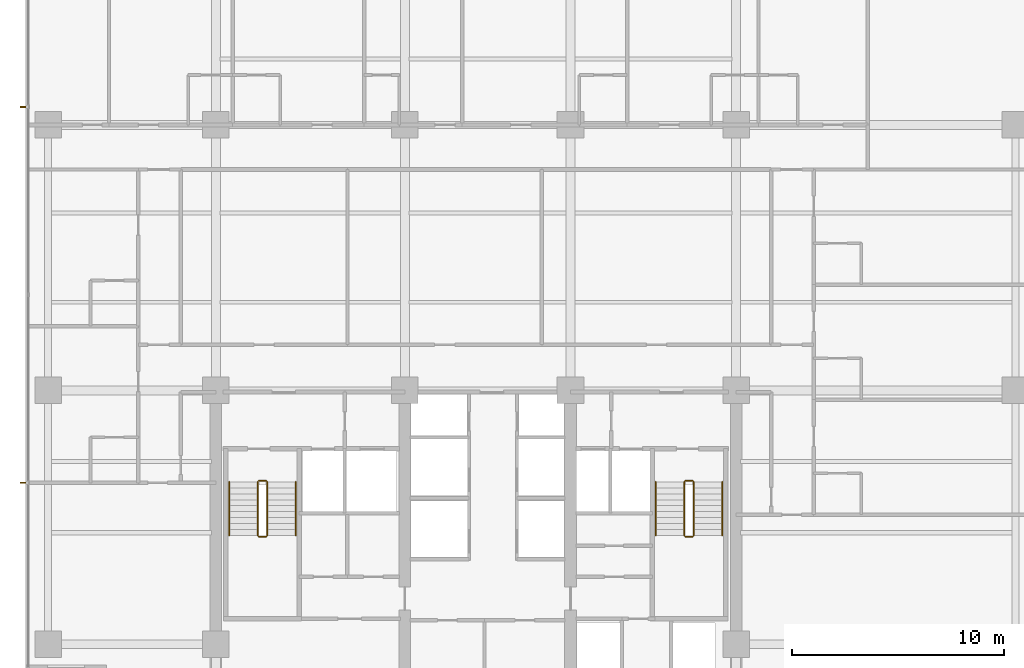
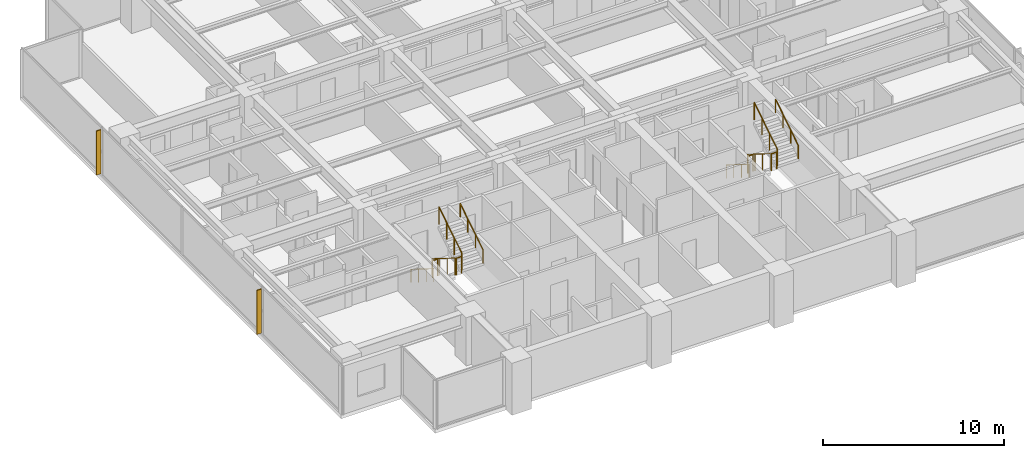
# One storey, part 16 of 17: 12 railings, 2 shading devices.
"""IFC4 building model written with IfcOpenShell, lengths in metres."""

from ifc_helpers import new_model, si_unit, direction, frame, origin, origin_2d, place, context, subcontext, project, spatial, polyline, circle, outline, extrude, material, layer, layer_set, type_object, element, save


model = new_model("IFC4")

# Units and contexts
model_context = context("Model", 3, precision=1e-05, world=origin(), true_north=direction((0.0, 1.0)))
body_context = subcontext(model_context, "Body", "Model", "MODEL_VIEW")
ifc_project = project(units=[si_unit("LENGTHUNIT", "METRE"), si_unit("AREAUNIT", "SQUARE_METRE"), si_unit("VOLUMEUNIT", "CUBIC_METRE"), si_unit("PLANEANGLEUNIT", "RADIAN"), si_unit("MASSUNIT", "GRAM", prefix="KILO")], contexts=[model_context])

# Site, building, storey
site_placement = place(None, origin())
site = spatial("IfcSite", under=ifc_project, at=site_placement, CompositionType="ELEMENT")
building_placement = place(site_placement, origin())
building = spatial("IfcBuilding", under=site, at=building_placement, Name="Qalmaran Belvedere Hotel", CompositionType="ELEMENT")
storey_placement = place(building_placement, frame((0.0, 0.0, 109.199951171875)))
storey = spatial("IfcBuildingStorey", under=building, at=storey_placement, Name="L27", CompositionType="ELEMENT", Elevation=109.199951171875)

# Shading devices
ifc_material_1 = material(Name="Anodised Bronze Aluminium", Category="aluminium")
ifc_layer = layer(ifc_material_1, 0.06494140625, Name="Anodised Bronze Aluminium")
ifc_layer_set = layer_set([ifc_layer], Name="Anodised Bronze Aluminium")
shading_device_type = type_object("IfcShadingDeviceType", Name="FIN-BRNZ-300", PredefinedType="USERDEFINED", material=ifc_layer_set)
shading_device_1_placement = place(storey_placement, frame((0.0, 0.0, 0.16015625)))
element("IfcShadingDevice", 1, at=shading_device_1_placement, inside=storey, type_object=shading_device_type, Name="L27 Bronze Fin 1", ObjectType="FIN", PredefinedType="USERDEFINED", context=body_context, shape_type="SweptSolid", body=[
    extrude(outline(polyline([(11.3798828125, 33.882568359375), (11.080078125, 33.882568359375), (11.080078125, 33.8173828125), (11.3798828125, 33.8173828125), (11.3798828125, 33.882568359375)])), origin(), (0.0, 0.0, 1.0), 2.9599609375),
])
shading_device_2_placement = place(storey_placement, frame((0.0, 0.0, 0.16015625)))
element("IfcShadingDevice", 2, at=shading_device_2_placement, inside=storey, type_object=shading_device_type, Name="L27 Bronze Fin 3", ObjectType="FIN", PredefinedType="USERDEFINED", context=body_context, shape_type="SweptSolid", body=[
    extrude(outline(polyline([(11.3798828125, 16.1826171875), (11.080078125, 16.1826171875), (11.080078125, 16.117431640625), (11.3798828125, 16.117431640625), (11.3798828125, 16.1826171875)])), origin(), (0.0, 0.0, 1.0), 2.9599609375),
])

# Railings
ifc_material_2 = material(Name="Stainless Steel 1.4401", Category="steel")
railing_type_1 = type_object("IfcRailingType", Name="RLG-STAIR-GUARD-1150", PredefinedType="GUARDRAIL", material=ifc_material_2)
railing_1_placement = place(storey_placement, frame((22.280029296875, 16.18994140625, 0.175048828125)))
element("IfcRailing", 3, at=railing_1_placement, inside=storey, type_object=railing_type_1, Name="L27 ST-1 stair guard 1", PredefinedType="GUARDRAIL", context=body_context, shape_type="SweptSolid", body=[
    extrude(circle(Radius=0.02392578125, at=origin_2d()), frame((0.0, 0.0, 1.1259765625), z_axis=(0.0, -0.848007534815, 0.529984170421), x_axis=(1.0, 0.0, 0.0)), (0.0, 0.0, 1.0), 2.9716796875),
    extrude(circle(Radius=0.02099609375, at=origin_2d()), origin(), (0.0, 0.0, 1.0), 1.101806640625),
    extrude(circle(Radius=0.02099609375, at=origin_2d()), frame((0.0, -0.840087890625, 0.52490234375)), (0.0, 0.0, 1.0), 1.101806640625),
    extrude(circle(Radius=0.02099609375, at=origin_2d()), frame((0.0, -1.679931640625, 1.050048828125)), (0.0, 0.0, 1.0), 1.101806640625),
    extrude(circle(Radius=0.02099609375, at=origin_2d()), frame((0.0, -2.52001953125, 1.574951171875)), (0.0, 0.0, 1.0), 1.101806640625),
])
railing_2_placement = place(storey_placement, frame((22.330078125, 13.6201171875, 1.75)))
element("IfcRailing", 4, at=railing_2_placement, inside=storey, type_object=railing_type_1, Name="L27 ST-1 stair guard 2", PredefinedType="GUARDRAIL", context=body_context, shape_type="SweptSolid", body=[
    extrude(circle(Radius=0.02392578125, at=origin_2d()), frame((0.0, 0.0, 1.1259765625), z_axis=(1.0, 0.0, 0.0), x_axis=(0.0, 1.0, 0.0)), (0.0, 0.0, 1.0), 0.33984375),
    extrude(circle(Radius=0.02099609375, at=origin_2d()), origin(), (0.0, 0.0, 1.0), 1.101806640625),
    extrude(circle(Radius=0.02099609375, at=origin_2d()), frame((0.33984375, 0.0, 0.0)), (0.0, 0.0, 1.0), 1.101806640625),
])
railing_3_placement = place(storey_placement, frame((22.719970703125, 13.669921875, 1.925048828125)))
element("IfcRailing", 5, at=railing_3_placement, inside=storey, type_object=railing_type_1, Name="L27 ST-1 stair guard 3", PredefinedType="GUARDRAIL", context=body_context, shape_type="SweptSolid", body=[
    extrude(circle(Radius=0.02392578125, at=origin_2d()), frame((0.0, 0.0, 1.1259765625), z_axis=(0.0, 0.848007534815, 0.529984170421), x_axis=(-1.0, 0.0, 0.0)), (0.0, 0.0, 1.0), 2.9716796875),
    extrude(circle(Radius=0.02099609375, at=origin_2d()), origin(), (0.0, 0.0, 1.0), 1.101806640625),
    extrude(circle(Radius=0.02099609375, at=origin_2d()), frame((0.0, 0.840087890625, 0.52490234375)), (0.0, 0.0, 1.0), 1.101806640625),
    extrude(circle(Radius=0.02099609375, at=origin_2d()), frame((0.0, 1.679931640625, 1.050048828125)), (0.0, 0.0, 1.0), 1.101806640625),
    extrude(circle(Radius=0.02099609375, at=origin_2d()), frame((0.0, 2.52001953125, 1.574951171875)), (0.0, 0.0, 1.0), 1.101806640625),
])
railing_4_placement = place(storey_placement, frame((22.330078125, 16.239990234375, 0.0)))
element("IfcRailing", 6, at=railing_4_placement, inside=storey, type_object=railing_type_1, Name="L27 ST-1 stair guard 4", PredefinedType="GUARDRAIL", context=body_context, shape_type="SweptSolid", body=[
    extrude(circle(Radius=0.02392578125, at=origin_2d()), frame((0.0, 0.0, 1.1259765625), z_axis=(1.0, 0.0, 0.0), x_axis=(0.0, 1.0, 0.0)), (0.0, 0.0, 1.0), 0.33984375),
    extrude(circle(Radius=0.02099609375, at=origin_2d()), origin(), (0.0, 0.0, 1.0), 1.101806640625),
    extrude(circle(Radius=0.02099609375, at=origin_2d()), frame((0.33984375, 0.0, 0.0)), (0.0, 0.0, 1.0), 1.101806640625),
])
railing_5_placement = place(storey_placement, frame((42.360107421875, 16.18994140625, 0.175048828125)))
element("IfcRailing", 7, at=railing_5_placement, inside=storey, type_object=railing_type_1, Name="L27 ST-2 stair guard 1", PredefinedType="GUARDRAIL", context=body_context, shape_type="SweptSolid", body=[
    extrude(circle(Radius=0.02392578125, at=origin_2d()), frame((0.0, 0.0, 1.1259765625), z_axis=(0.0, -0.848007534815, 0.529984170421), x_axis=(1.0, 0.0, 0.0)), (0.0, 0.0, 1.0), 2.9716796875),
    extrude(circle(Radius=0.02099609375, at=origin_2d()), origin(), (0.0, 0.0, 1.0), 1.101806640625),
    extrude(circle(Radius=0.02099609375, at=origin_2d()), frame((0.0, -0.840087890625, 0.52490234375)), (0.0, 0.0, 1.0), 1.101806640625),
    extrude(circle(Radius=0.02099609375, at=origin_2d()), frame((0.0, -1.679931640625, 1.050048828125)), (0.0, 0.0, 1.0), 1.101806640625),
    extrude(circle(Radius=0.02099609375, at=origin_2d()), frame((0.0, -2.52001953125, 1.574951171875)), (0.0, 0.0, 1.0), 1.101806640625),
])
railing_6_placement = place(storey_placement, frame((42.409912109375, 13.6201171875, 1.75)))
element("IfcRailing", 8, at=railing_6_placement, inside=storey, type_object=railing_type_1, Name="L27 ST-2 stair guard 2", PredefinedType="GUARDRAIL", context=body_context, shape_type="SweptSolid", body=[
    extrude(circle(Radius=0.02392578125, at=origin_2d()), frame((0.0, 0.0, 1.1259765625), z_axis=(1.0, 0.0, 0.0), x_axis=(0.0, 1.0, 0.0)), (0.0, 0.0, 1.0), 0.340087890625),
    extrude(circle(Radius=0.02099609375, at=origin_2d()), origin(), (0.0, 0.0, 1.0), 1.101806640625),
    extrude(circle(Radius=0.02099609375, at=origin_2d()), frame((0.340087890625, 0.0, 0.0)), (0.0, 0.0, 1.0), 1.101806640625),
])
railing_7_placement = place(storey_placement, frame((42.800048828125, 13.669921875, 1.925048828125)))
element("IfcRailing", 9, at=railing_7_placement, inside=storey, type_object=railing_type_1, Name="L27 ST-2 stair guard 3", PredefinedType="GUARDRAIL", context=body_context, shape_type="SweptSolid", body=[
    extrude(circle(Radius=0.02392578125, at=origin_2d()), frame((0.0, 0.0, 1.1259765625), z_axis=(0.0, 0.848007534815, 0.529984170421), x_axis=(-1.0, 0.0, 0.0)), (0.0, 0.0, 1.0), 2.9716796875),
    extrude(circle(Radius=0.02099609375, at=origin_2d()), origin(), (0.0, 0.0, 1.0), 1.101806640625),
    extrude(circle(Radius=0.02099609375, at=origin_2d()), frame((0.0, 0.840087890625, 0.52490234375)), (0.0, 0.0, 1.0), 1.101806640625),
    extrude(circle(Radius=0.02099609375, at=origin_2d()), frame((0.0, 1.679931640625, 1.050048828125)), (0.0, 0.0, 1.0), 1.101806640625),
    extrude(circle(Radius=0.02099609375, at=origin_2d()), frame((0.0, 2.52001953125, 1.574951171875)), (0.0, 0.0, 1.0), 1.101806640625),
])
railing_8_placement = place(storey_placement, frame((42.409912109375, 16.239990234375, 0.0)))
element("IfcRailing", 10, at=railing_8_placement, inside=storey, type_object=railing_type_1, Name="L27 ST-2 stair guard 4", PredefinedType="GUARDRAIL", context=body_context, shape_type="SweptSolid", body=[
    extrude(circle(Radius=0.02392578125, at=origin_2d()), frame((0.0, 0.0, 1.1259765625), z_axis=(1.0, 0.0, 0.0), x_axis=(0.0, 1.0, 0.0)), (0.0, 0.0, 1.0), 0.340087890625),
    extrude(circle(Radius=0.02099609375, at=origin_2d()), origin(), (0.0, 0.0, 1.0), 1.101806640625),
    extrude(circle(Radius=0.02099609375, at=origin_2d()), frame((0.340087890625, 0.0, 0.0)), (0.0, 0.0, 1.0), 1.101806640625),
])
railing_type_2 = type_object("IfcRailingType", Name="RLG-STAIR-HAND-910", PredefinedType="HANDRAIL", material=ifc_material_2)
railing_9_placement = place(storey_placement, frame((20.929931640625, 16.18994140625, 0.175048828125)))
element("IfcRailing", 11, at=railing_9_placement, inside=storey, type_object=railing_type_2, Name="L27 ST-1 stair handrail 1", PredefinedType="HANDRAIL", context=body_context, shape_type="SweptSolid", body=[
    extrude(circle(Radius=0.02392578125, at=origin_2d()), frame((0.0, 0.0, 0.8857421875), z_axis=(0.0, -0.848007534815, 0.529984170421), x_axis=(1.0, 0.0, 0.0)), (0.0, 0.0, 1.0), 2.9716796875),
    extrude(circle(Radius=0.02099609375, at=origin_2d()), origin(), (0.0, 0.0, 1.0), 0.86181640625),
    extrude(circle(Radius=0.02099609375, at=origin_2d()), frame((0.0, -0.840087890625, 0.52490234375)), (0.0, 0.0, 1.0), 0.86181640625),
    extrude(circle(Radius=0.02099609375, at=origin_2d()), frame((0.0, -1.679931640625, 1.050048828125)), (0.0, 0.0, 1.0), 0.86181640625),
    extrude(circle(Radius=0.02099609375, at=origin_2d()), frame((0.0, -2.52001953125, 1.574951171875)), (0.0, 0.0, 1.0), 0.86181640625),
])
railing_10_placement = place(storey_placement, frame((24.070068359375, 13.669921875, 1.925048828125)))
element("IfcRailing", 12, at=railing_10_placement, inside=storey, type_object=railing_type_2, Name="L27 ST-1 stair handrail 2", PredefinedType="HANDRAIL", context=body_context, shape_type="SweptSolid", body=[
    extrude(circle(Radius=0.02392578125, at=origin_2d()), frame((0.0, 0.0, 0.8857421875), z_axis=(0.0, 0.848007534815, 0.529984170421), x_axis=(-1.0, 0.0, 0.0)), (0.0, 0.0, 1.0), 2.9716796875),
    extrude(circle(Radius=0.02099609375, at=origin_2d()), origin(), (0.0, 0.0, 1.0), 0.86181640625),
    extrude(circle(Radius=0.02099609375, at=origin_2d()), frame((0.0, 0.840087890625, 0.52490234375)), (0.0, 0.0, 1.0), 0.86181640625),
    extrude(circle(Radius=0.02099609375, at=origin_2d()), frame((0.0, 1.679931640625, 1.050048828125)), (0.0, 0.0, 1.0), 0.86181640625),
    extrude(circle(Radius=0.02099609375, at=origin_2d()), frame((0.0, 2.52001953125, 1.574951171875)), (0.0, 0.0, 1.0), 0.86181640625),
])
railing_11_placement = place(storey_placement, frame((41.010009765625, 16.18994140625, 0.175048828125)))
element("IfcRailing", 13, at=railing_11_placement, inside=storey, type_object=railing_type_2, Name="L27 ST-2 stair handrail 1", PredefinedType="HANDRAIL", context=body_context, shape_type="SweptSolid", body=[
    extrude(circle(Radius=0.02392578125, at=origin_2d()), frame((0.0, 0.0, 0.8857421875), z_axis=(0.0, -0.848007534815, 0.529984170421), x_axis=(1.0, 0.0, 0.0)), (0.0, 0.0, 1.0), 2.9716796875),
    extrude(circle(Radius=0.02099609375, at=origin_2d()), origin(), (0.0, 0.0, 1.0), 0.86181640625),
    extrude(circle(Radius=0.02099609375, at=origin_2d()), frame((0.0, -0.840087890625, 0.52490234375)), (0.0, 0.0, 1.0), 0.86181640625),
    extrude(circle(Radius=0.02099609375, at=origin_2d()), frame((0.0, -1.679931640625, 1.050048828125)), (0.0, 0.0, 1.0), 0.86181640625),
    extrude(circle(Radius=0.02099609375, at=origin_2d()), frame((0.0, -2.52001953125, 1.574951171875)), (0.0, 0.0, 1.0), 0.86181640625),
])
railing_12_placement = place(storey_placement, frame((44.14990234375, 13.669921875, 1.925048828125)))
element("IfcRailing", 14, at=railing_12_placement, inside=storey, type_object=railing_type_2, Name="L27 ST-2 stair handrail 2", PredefinedType="HANDRAIL", context=body_context, shape_type="SweptSolid", body=[
    extrude(circle(Radius=0.02392578125, at=origin_2d()), frame((0.0, 0.0, 0.8857421875), z_axis=(0.0, 0.848007534815, 0.529984170421), x_axis=(-1.0, 0.0, 0.0)), (0.0, 0.0, 1.0), 2.9716796875),
    extrude(circle(Radius=0.02099609375, at=origin_2d()), origin(), (0.0, 0.0, 1.0), 0.86181640625),
    extrude(circle(Radius=0.02099609375, at=origin_2d()), frame((0.0, 0.840087890625, 0.52490234375)), (0.0, 0.0, 1.0), 0.86181640625),
    extrude(circle(Radius=0.02099609375, at=origin_2d()), frame((0.0, 1.679931640625, 1.050048828125)), (0.0, 0.0, 1.0), 0.86181640625),
    extrude(circle(Radius=0.02099609375, at=origin_2d()), frame((0.0, 2.52001953125, 1.574951171875)), (0.0, 0.0, 1.0), 0.86181640625),
])

save(model, "model.ifc")
